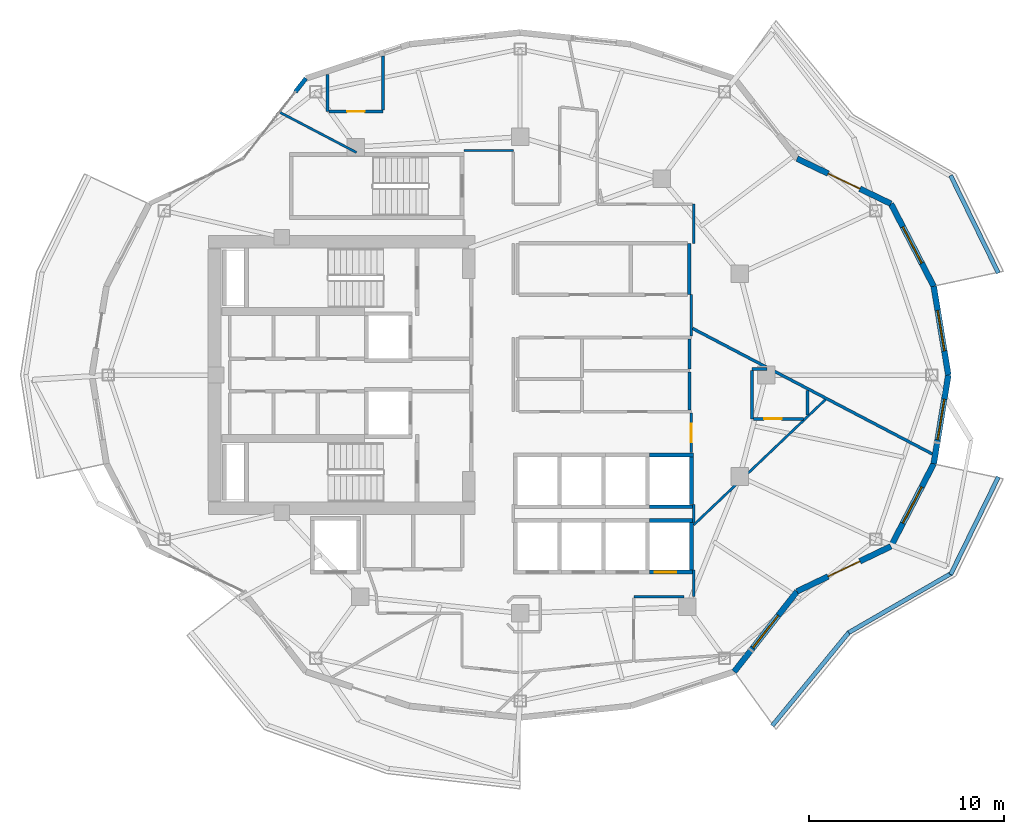
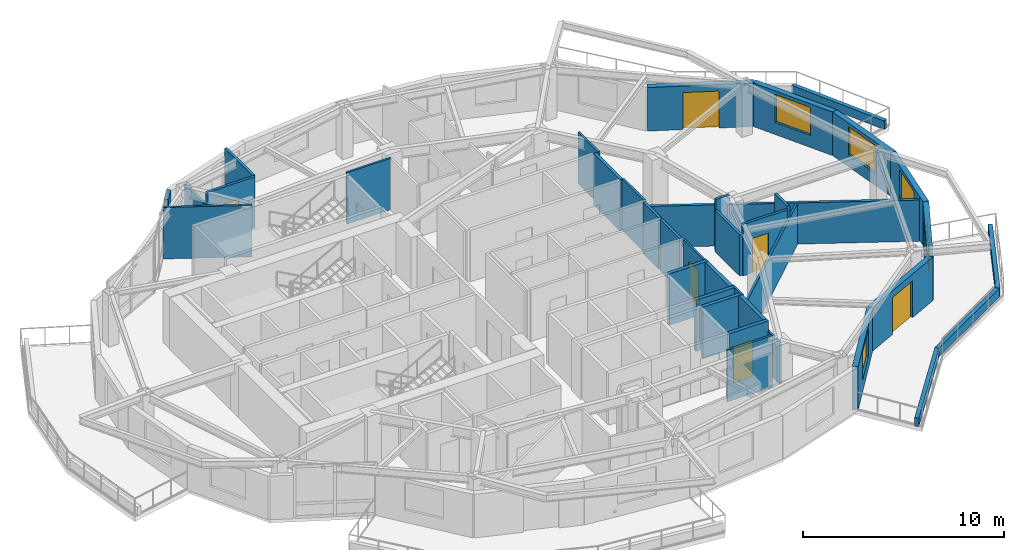
# One storey, part 10 of 13: 38 walls, 6 doors, 5 windows, 11 openings.
"""IFC4 building model written with IfcOpenShell, lengths in metres."""

from ifc_helpers import new_model, si_unit, direction, frame, frame_2d, origin, place, context, subcontext, project, spatial, rectangle, extrude, material, layer, layer_set, type_object, element, fill, save


model = new_model("IFC4")

# Units and contexts
model_context = context("Model", 3, precision=1e-05, world=origin(), true_north=direction((0.0, 1.0)))
body_context = subcontext(model_context, "Body", "Model", "MODEL_VIEW")
ifc_project = project(units=[si_unit("LENGTHUNIT", "METRE"), si_unit("AREAUNIT", "SQUARE_METRE"), si_unit("VOLUMEUNIT", "CUBIC_METRE"), si_unit("PLANEANGLEUNIT", "RADIAN"), si_unit("MASSUNIT", "GRAM", prefix="KILO")], contexts=[model_context])

# Site, building, storey
site_placement = place(None, origin())
site = spatial("IfcSite", under=ifc_project, at=site_placement, CompositionType="ELEMENT")
building_placement = place(site_placement, origin())
building = spatial("IfcBuilding", under=site, at=building_placement, Name="Kolvaren Gate Tower and Convention Centre", CompositionType="ELEMENT")
storey_placement = place(building_placement, frame((0.0, 0.0, 156.300048828125)))
storey = spatial("IfcBuildingStorey", under=building, at=storey_placement, Name="L40", CompositionType="ELEMENT", Elevation=156.300048828125)

# Walls
ifc_material_1 = material(Name="Autoclaved Aerated Masonry Blockwork Class 4 (4.0 MPa)", Category="masonry")
ifc_layer_1 = layer(ifc_material_1, 0.179931640625)
ifc_layer_set_1 = layer_set([ifc_layer_1], Name="Autoclaved Aerated Masonry Blockwork Class 4 (4.0 MPa)")
wall_type_1 = type_object("IfcWallType", Name="ARCH-WL-COMP-180", PredefinedType="SOLIDWALL", material=ifc_layer_set_1)
wall_1_placement = place(storey_placement, frame((38.800048828125, 31.1201171875, 0.0), z_axis=(0.0, 0.0, 1.0), x_axis=(0.0, 1.0, 0.0)))
element("IfcWall", 1, at=wall_1_placement, inside=storey, type_object=wall_type_1, Name="Interior Partition WL-L40-INT-024", PredefinedType="SOLIDWALL", context=body_context, shape_type="SweptSolid", body=[
    extrude(rectangle(XDim=2.6298828125, YDim=0.179931640625, at=frame_2d((1.31494140625, 0.0))), origin(), (0.0, 0.0, 1.0), 3.1298828125),
])
ifc_material_2 = material(Name="Fire-Rated Acoustic Gypsum Stud Partition", Category="gypsum")
ifc_layer_2 = layer(ifc_material_2, 0.1201171875)
ifc_layer_set_2 = layer_set([ifc_layer_2], Name="Fire-Rated Acoustic Gypsum Stud Partition")
wall_type_2 = type_object("IfcWallType", Name="ARCH-WL-PART-120", PredefinedType="PARTITIONING", material=ifc_layer_set_2)
wall_2_placement = place(storey_placement, frame((39.02001953125, 15.64990234375, 0.0), z_axis=(0.0, 0.0, 1.0), x_axis=(0.0, 1.0, 0.0)))
element("IfcWall", 2, at=wall_2_placement, inside=storey, type_object=wall_type_2, Name="Interior Partition WL-L40-INT-028", PredefinedType="PARTITIONING", context=body_context, shape_type="SweptSolid", body=[
    extrude(rectangle(XDim=1.360107421875, YDim=0.1201171875, at=frame_2d((0.68017578125, 0.0))), origin(), (0.0, 0.0, 1.0), 2.5048828125),
])
wall_3_placement = place(storey_placement, frame((39.02001953125, 19.43994140625, 0.0), z_axis=(0.0, 0.0, 1.0), x_axis=(0.0, 1.0, 0.0)))
element("IfcWall", 3, at=wall_3_placement, inside=storey, type_object=wall_type_2, Name="Interior Partition WL-L40-INT-028 (2)", PredefinedType="PARTITIONING", context=body_context, shape_type="SweptSolid", body=[
    extrude(rectangle(XDim=0.920166015625, YDim=0.1201171875, at=frame_2d((0.4599609375, 0.0))), origin(), (0.0, 0.0, 1.0), 3.1298828125),
])
wall_4_placement = place(storey_placement, frame((39.02001953125, 33.75, 0.0), z_axis=(0.0, 0.0, 1.0), x_axis=(0.0, 1.0, 0.0)))
element("IfcWall", 4, at=wall_4_placement, inside=storey, type_object=wall_type_2, Name="Interior Partition WL-L40-INT-029", PredefinedType="PARTITIONING", context=body_context, shape_type="SweptSolid", body=[
    extrude(rectangle(XDim=2.0, YDim=0.1201171875, at=frame_2d((1.0, 0.0))), origin(), (0.0, 0.0, 1.0), 3.1298828125),
])
wall_5_placement = place(storey_placement, frame((35.949951171875, 15.64990234375, 0.0), z_axis=(0.0, 0.0, 1.0), x_axis=(1.0, 0.0, 0.0)))
element("IfcWall", 5, at=wall_5_placement, inside=storey, type_object=wall_type_2, Name="Interior Partition WL-L40-INT-031", PredefinedType="PARTITIONING", context=body_context, shape_type="SweptSolid", body=[
    extrude(rectangle(XDim=2.568115234375, YDim=0.1201171875, at=frame_2d((1.2841796875, 0.0))), origin(), (0.0, 0.0, 1.0), 3.1298828125),
])
wall_6_placement = place(storey_placement, frame((27.25, 38.5, 0.0), z_axis=(0.0, 0.0, 1.0), x_axis=(1.0, 0.0, 0.0)))
element("IfcWall", 6, at=wall_6_placement, inside=storey, type_object=wall_type_2, Name="Interior Partition WL-L40-INT-039", PredefinedType="PARTITIONING", context=body_context, shape_type="SweptSolid", body=[
    extrude(rectangle(XDim=2.530029296875, YDim=0.1201171875, at=frame_2d((1.26513671875, 0.0))), origin(), (0.0, 0.0, 1.0), 3.1298828125),
])

# Wall, opening, door
wall_7_placement = place(storey_placement, frame((38.89990234375, 23.02001953125, 0.0), z_axis=(0.0, 0.0, 1.0), x_axis=(0.0, 1.0, 0.0)))
wall_7 = element("IfcWall", 7, at=wall_7_placement, inside=storey, type_object=wall_type_2, Name="Interior Partition WL-L40-INT-049", PredefinedType="PARTITIONING", context=body_context, shape_type="SweptSolid", body=[
    extrude(rectangle(XDim=2.02294921875, YDim=0.1201171875, at=frame_2d((1.011474609375, 0.0))), origin(), (0.0, 0.0, 1.0), 3.1298828125),
])
opening_1_placement = place(wall_7_placement, frame((0.53662109375, 0.0, 0.0)))
opening_1 = element("IfcOpeningElement", 8, at=opening_1_placement, cuts=wall_7, Name="Opening DR-01", PredefinedType="OPENING", context=body_context, shape_type="SweptSolid", body=[
    extrude(rectangle(XDim=0.949951171875, YDim=2.10009765625, at=frame_2d((0.47509765625, 1.050048828125))), frame((0.0, 0.070068359375, 0.0), z_axis=(0.0, -1.0, 0.0), x_axis=(1.0, 0.0, 0.0)), (0.0, 0.0, 1.0), 0.14013671875),
])
ifc_material_3 = material(Name="Painted Architectural Steelwork ASTM A500 Grade C 345 MPa", Category="steel")
door_type_1 = type_object("IfcDoorType", Name="ARCH-DR-RISER-950", OperationType="SINGLE_SWING_RIGHT", PredefinedType="DOOR", material=ifc_material_3)
door_1_placement = place(opening_1_placement, origin())
door_1 = element("IfcDoor", 9, at=door_1_placement, inside=storey, type_object=door_type_1, Name="Hotel Guest Room (HTL-L40-05) Door", OperationType="SINGLE_SWING_RIGHT", OverallHeight=2.10009765625, OverallWidth=0.949951171875, PredefinedType="DOOR", context=body_context, shape_type="SweptSolid", body=[
    extrude(rectangle(XDim=0.949951171875, YDim=2.10009765625, at=frame_2d((0.47509765625, 1.050048828125))), frame((0.0, 0.02490234375, 0.0), z_axis=(0.0, -1.0, 0.0), x_axis=(1.0, 0.0, 0.0)), (0.0, 0.0, 1.0), 0.050048828125),
])
fill(opening_1, door_1)

# Walls
wall_8_placement = place(storey_placement, frame((38.89990234375, 28.9970703125, 0.0), z_axis=(0.0, 0.0, 1.0), x_axis=(0.0, 1.0, 0.0)))
element("IfcWall", 10, at=wall_8_placement, inside=storey, type_object=wall_type_2, Name="Interior Partition WL-L40-INT-050", PredefinedType="PARTITIONING", context=body_context, shape_type="SweptSolid", body=[
    extrude(rectangle(XDim=2.123046875, YDim=0.1201171875, at=frame_2d((1.0615234375, 0.0))), origin(), (0.0, 0.0, 1.0), 3.1298828125),
])
wall_9_placement = place(storey_placement, frame((17.821044921875, 40.455810546875, 0.0), z_axis=(0.0, 0.0, 1.0), x_axis=(0.885899524476, -0.463877173974, 0.0)))
element("IfcWall", 11, at=wall_9_placement, inside=storey, type_object=wall_type_2, Name="Interior Partition WL-L40-INT-055", PredefinedType="PARTITIONING", context=body_context, shape_type="SweptSolid", body=[
    extrude(rectangle(XDim=4.42724609375, YDim=0.1201171875, at=frame_2d((2.213623046875, 0.0))), origin(), (0.0, 0.0, 1.0), 3.1298828125),
])
wall_10_placement = place(storey_placement, frame((39.02099609375, 19.32373046875, 0.0), z_axis=(0.0, 0.0, 1.0), x_axis=(0.724517158733, 0.689256763986, 0.0)))
element("IfcWall", 12, at=wall_10_placement, inside=storey, type_object=wall_type_2, Name="Interior Partition WL-L40-INT-059", PredefinedType="PARTITIONING", context=body_context, shape_type="SweptSolid", body=[
    extrude(rectangle(XDim=9.3056640625, YDim=0.1201171875, at=frame_2d((4.65283203125, 0.0))), origin(), (0.0, 0.0, 1.0), 2.5048828125),
])
ifc_material_4 = material(Name="Bogota Sabana Bush-Hammered Sandstone Cladding", Category="masonry")
ifc_layer_3 = layer(ifc_material_4, 0.219970703125)
ifc_layer_set_3 = layer_set([ifc_layer_3], Name="Bogota Sabana Bush-Hammered Sandstone Cladding")
wall_type_3 = type_object("IfcWallType", Name="ARCH-WL-PIER-220", PredefinedType="SOLIDWALL", material=ifc_layer_set_3)
wall_11_placement = place(storey_placement, frame((18.6162109375, 41.5087890625, 0.0), z_axis=(0.0, 0.0, 1.0), x_axis=(0.616368366719, 0.787457958566, 0.0)))
element("IfcWall", 13, at=wall_11_placement, inside=storey, type_object=wall_type_3, Name="Tower L40 Unitised Curtain Wall CW-HTL-UNIT Bay 08 Right Column Pier Wrap", PredefinedType="SOLIDWALL", context=body_context, shape_type="SweptSolid", body=[
    extrude(rectangle(XDim=0.876220703125, YDim=0.219970703125, at=frame_2d((0.43798828125, 0.0))), origin(), (0.0, 0.0, 1.0), 2.65283203125),
])
ifc_material_5 = material(Name="Piedmont Cream Honed Limestone Cladding", Category="masonry")
ifc_layer_4 = layer(ifc_material_5, 0.219970703125)
ifc_layer_set_4 = layer_set([ifc_layer_4], Name="Piedmont Cream Honed Limestone Cladding")
wall_type_4 = type_object("IfcWallType", Name="ARCH-WL-PLANTER-220", PredefinedType="PARAPET", material=ifc_layer_set_4)
wall_12_placement = place(storey_placement, frame((52.180419921875, 37.221435546875, 0.0), z_axis=(0.0, 0.0, 1.0), x_axis=(0.439637174641, -0.898175458735, 0.0)))
element("IfcWall", 14, at=wall_12_placement, inside=storey, type_object=wall_type_4, Name="Vertical-Forest Balcony Stone Planter Kerb PK-L40-1.1", PredefinedType="PARAPET", context=body_context, shape_type="SweptSolid", body=[
    extrude(rectangle(XDim=5.567138671875, YDim=0.219970703125, at=frame_2d((2.78369140625, 0.0))), origin(), (0.0, 0.0, 1.0), 0.52001953125),
])
wall_13_placement = place(storey_placement, frame((43.0419921875, 9.03564453125, 0.0), z_axis=(0.0, 0.0, 1.0), x_axis=(0.634429234628, 0.77298094818, 0.0)))
element("IfcWall", 15, at=wall_13_placement, inside=storey, type_object=wall_type_4, Name="Vertical-Forest Balcony Stone Planter Kerb PK-L40-4.1", PredefinedType="PARAPET", context=body_context, shape_type="SweptSolid", body=[
    extrude(rectangle(XDim=6.244873046875, YDim=0.219970703125, at=frame_2d((3.12255859375, 0.0))), origin(), (0.0, 0.0, 1.0), 0.52001953125),
])
wall_14_placement = place(storey_placement, frame((46.95751953125, 13.8046875, 0.0), z_axis=(0.0, 0.0, 1.0), x_axis=(0.866058128659, 0.499943314571, 0.0)))
element("IfcWall", 16, at=wall_14_placement, inside=storey, type_object=wall_type_4, Name="Vertical-Forest Balcony Stone Planter Kerb PK-L40-4.2", PredefinedType="PARAPET", context=body_context, shape_type="SweptSolid", body=[
    extrude(rectangle(XDim=6.060302734375, YDim=0.219970703125, at=frame_2d((3.0302734375, 0.0))), origin(), (0.0, 0.0, 1.0), 0.52001953125),
])
wall_15_placement = place(storey_placement, frame((52.180419921875, 16.778564453125, 0.0), z_axis=(0.0, 0.0, 1.0), x_axis=(0.439637174641, 0.898175458735, 0.0)))
element("IfcWall", 17, at=wall_15_placement, inside=storey, type_object=wall_type_4, Name="Vertical-Forest Balcony Stone Planter Kerb PK-L40-4.3", PredefinedType="PARAPET", context=body_context, shape_type="SweptSolid", body=[
    extrude(rectangle(XDim=5.567138671875, YDim=0.219970703125, at=frame_2d((2.78369140625, 0.0))), origin(), (0.0, 0.0, 1.0), 0.52001953125),
])
ifc_layer_5 = layer(ifc_material_1, 0.199951171875)
ifc_layer_set_5 = layer_set([ifc_layer_5], Name="Autoclaved Aerated Masonry Blockwork Class 4 (4.0 MPa)")
wall_type_5 = type_object("IfcWallType", Name="ARCH-WL-SHAFT-200", PredefinedType="SOLIDWALL", material=ifc_layer_set_5)
wall_16_placement = place(storey_placement, frame((36.75, 19.550048828125, 0.0), z_axis=(0.0, 0.0, 1.0), x_axis=(1.0, 0.0, 0.0)))
element("IfcWall", 18, at=wall_16_placement, inside=storey, type_object=wall_type_5, Name="Elevator PL-08 L40 Fire Shaft Wall N", PredefinedType="SOLIDWALL", context=body_context, shape_type="SweptSolid", body=[
    extrude(rectangle(XDim=2.25, YDim=0.199951171875, at=frame_2d((1.125, 0.0))), origin(), (0.0, 0.0, 1.0), 3.1298828125),
])

# Wall, opening, door
wall_17_placement = place(storey_placement, frame((36.75, 16.89990234375, 0.0), z_axis=(0.0, 0.0, 1.0), x_axis=(1.0, 0.0, 0.0)))
wall_17 = element("IfcWall", 19, at=wall_17_placement, inside=storey, type_object=wall_type_5, Name="Elevator PL-08 L40 Fire Shaft Wall S", PredefinedType="SOLIDWALL", context=body_context, shape_type="SweptSolid", body=[
    extrude(rectangle(XDim=2.25, YDim=0.199951171875, at=frame_2d((1.125, 0.0))), origin(), (0.0, 0.0, 1.0), 3.1298828125),
])
opening_2_placement = place(wall_17_placement, frame((0.280029296875, 0.0, 0.0)))
opening_2 = element("IfcOpeningElement", 20, at=opening_2_placement, cuts=wall_17, Name="Opening LD", PredefinedType="OPENING", context=body_context, shape_type="SweptSolid", body=[
    extrude(rectangle(XDim=1.10009765625, YDim=2.199951171875, at=frame_2d((0.550048828125, 1.10009765625))), frame((0.0, 0.10986328125, 0.0), z_axis=(0.0, -1.0, 0.0), x_axis=(1.0, 0.0, 0.0)), (0.0, 0.0, 1.0), 0.219970703125),
])
ifc_material_6 = material(Name="Brushed Stainless Steel Grade 316L", Category="steel")
door_type_2 = type_object("IfcDoorType", Name="ARCH-DR-LIFT-1100", OperationType="SLIDING_TO_LEFT", PredefinedType="DOOR", material=ifc_material_6)
door_2_placement = place(opening_2_placement, origin())
door_2 = element("IfcDoor", 21, at=door_2_placement, inside=storey, type_object=door_type_2, Name="Elevator PL-08 L40 Sliding Landing Door", OperationType="SLIDING_TO_LEFT", OverallHeight=2.199951171875, OverallWidth=1.10009765625, PredefinedType="DOOR", context=body_context, shape_type="SweptSolid", body=[
    extrude(rectangle(XDim=1.10009765625, YDim=2.199951171875, at=frame_2d((0.550048828125, 1.10009765625))), frame((0.0, 0.02490234375, 0.0), z_axis=(0.0, -1.0, 0.0), x_axis=(1.0, 0.0, 0.0)), (0.0, 0.0, 1.0), 0.050048828125),
])
fill(opening_2, door_2)

# Walls
wall_18_placement = place(storey_placement, frame((38.89990234375, 17.010009765625, 0.0), z_axis=(0.0, 0.0, 1.0), x_axis=(0.0, 1.0, 0.0)))
element("IfcWall", 22, at=wall_18_placement, inside=storey, type_object=wall_type_5, Name="Elevator PL-08 L40 Fire Shaft Wall E", PredefinedType="SOLIDWALL", context=body_context, shape_type="SweptSolid", body=[
    extrude(rectangle(XDim=2.429931640625, YDim=0.199951171875, at=frame_2d((1.21484375, 0.0))), origin(), (0.0, 0.0, 1.0), 3.1298828125),
])
for number, where, z_axis, x_axis, name in (
    (23, (36.75, 22.89990234375, 0.0), (0.0, 0.0, 1.0), (1.0, 0.0, 0.0), "Elevator PL-12 L40 Fire Shaft Wall N"),
    (24, (36.75, 20.25, 0.0), (0.0, 0.0, 1.0), (1.0, 0.0, 0.0), "Elevator PL-12 L40 Fire Shaft Wall S"),
):
    element("IfcWall", number, at=place(storey_placement, frame(where, z_axis=z_axis, x_axis=x_axis)), inside=storey, type_object=wall_type_5, Name=name, PredefinedType="SOLIDWALL", context=body_context, shape_type="SweptSolid", body=[
        extrude(rectangle(XDim=2.25, YDim=0.199951171875, at=frame_2d((1.125, 0.0))), origin(), (0.0, 0.0, 1.0), 3.1298828125),
    ])
wall_19_placement = place(storey_placement, frame((38.89990234375, 20.360107421875, 0.0), z_axis=(0.0, 0.0, 1.0), x_axis=(0.0, 1.0, 0.0)))
element("IfcWall", 25, at=wall_19_placement, inside=storey, type_object=wall_type_5, Name="Elevator PL-12 L40 Fire Shaft Wall E", PredefinedType="SOLIDWALL", context=body_context, shape_type="SweptSolid", body=[
    extrude(rectangle(XDim=2.429931640625, YDim=0.199951171875, at=frame_2d((1.21484375, 0.0))), origin(), (0.0, 0.0, 1.0), 3.1298828125),
])

# Wall, opening, window
ifc_layer_6 = layer(ifc_material_5, 0.300048828125)
ifc_layer_set_6 = layer_set([ifc_layer_6], Name="Piedmont Cream Honed Limestone Cladding")
wall_type_6 = type_object("IfcWallType", Name="ARCH-WL-STONE-300", PredefinedType="SOLIDWALL", material=ifc_layer_set_6)
wall_20_placement = place(storey_placement, frame((51.31494140625, 31.542236328125, 0.0), z_axis=(0.0, 0.0, 1.0), x_axis=(0.162394765401, -0.986725868806, 0.0)))
wall_20 = element("IfcWall", 26, at=wall_20_placement, inside=storey, type_object=wall_type_6, Name="Tower L40 Honed Stone Spandrel Wall EW-00", PredefinedType="SOLIDWALL", context=body_context, shape_type="SweptSolid", body=[
    extrude(rectangle(XDim=4.603271484375, YDim=0.300048828125, at=frame_2d((2.3017578125, 0.0))), origin(), (0.0, 0.0, 1.0), 2.65283203125),
])
opening_3_placement = place(wall_20_placement, frame((1.251953125, 0.0, 0.739990234375)))
opening_3 = element("IfcOpeningElement", 27, at=opening_3_placement, cuts=wall_20, Name="Opening W-02", PredefinedType="OPENING", context=body_context, shape_type="SweptSolid", body=[
    extrude(rectangle(XDim=2.10009765625, YDim=1.699951171875, at=frame_2d((1.050048828125, 0.85009765625))), frame((0.0, 0.159912109375, 0.0), z_axis=(0.0, -1.0, 0.0), x_axis=(1.0, 0.0, 0.0)), (0.0, 0.0, 1.0), 0.320068359375),
])
ifc_material_7 = material(Name="Low-E Triple Insulated Glazing Unit 44 mm", Category="glass")
window_type = type_object("IfcWindowType", Name="ARCH-WN-HTL-2100", PartitioningType="SINGLE_PANEL", PredefinedType="WINDOW", material=ifc_material_7)
window_1_placement = place(opening_3_placement, origin())
window_1 = element("IfcWindow", 28, at=window_1_placement, inside=storey, type_object=window_type, Name="Tower L40 Punched Stone Facade Window W-00", OverallHeight=1.699951171875, OverallWidth=2.10009765625, PartitioningType="SINGLE_PANEL", PredefinedType="WINDOW", context=body_context, shape_type="SweptSolid", body=[
    extrude(rectangle(XDim=2.10009765625, YDim=1.699951171875, at=frame_2d((1.050048828125, 0.85009765625))), frame((0.0, 0.030029296875, 0.0), z_axis=(0.0, -1.0, 0.0), x_axis=(1.0, 0.0, 0.0)), (0.0, 0.0, 1.0), 0.06005859375),
])
fill(opening_3, window_1)

wall_21_placement = place(storey_placement, frame((49.123291015625, 35.77490234375, 0.0), z_axis=(0.0, 0.0, 1.0), x_axis=(0.459810251451, -0.888017191647, 0.0)))
wall_21 = element("IfcWall", 29, at=wall_21_placement, inside=storey, type_object=wall_type_6, Name="Tower L40 Honed Stone Spandrel Wall EW-01", PredefinedType="SOLIDWALL", context=body_context, shape_type="SweptSolid", body=[
    extrude(rectangle(XDim=4.766357421875, YDim=0.300048828125, at=frame_2d((2.38330078125, 0.0))), origin(), (0.0, 0.0, 1.0), 2.65283203125),
])
opening_4_placement = place(wall_21_placement, frame((1.3330078125, 0.0, 0.739990234375)))
opening_4 = element("IfcOpeningElement", 30, at=opening_4_placement, cuts=wall_21, Name="Opening W-02", PredefinedType="OPENING", context=body_context, shape_type="SweptSolid", body=[
    extrude(rectangle(XDim=2.10009765625, YDim=1.699951171875, at=frame_2d((1.050048828125, 0.85009765625))), frame((0.0, 0.159912109375, 0.0), z_axis=(0.0, -1.0, 0.0), x_axis=(1.0, 0.0, 0.0)), (0.0, 0.0, 1.0), 0.320068359375),
])
window_2_placement = place(opening_4_placement, origin())
window_2 = element("IfcWindow", 31, at=window_2_placement, inside=storey, type_object=window_type, Name="Tower L40 Punched Stone Facade Window W-01", OverallHeight=1.699951171875, OverallWidth=2.10009765625, PartitioningType="SINGLE_PANEL", PredefinedType="WINDOW", context=body_context, shape_type="SweptSolid", body=[
    extrude(rectangle(XDim=2.10009765625, YDim=1.699951171875, at=frame_2d((1.050048828125, 0.85009765625))), frame((0.0, 0.030029296875, 0.0), z_axis=(0.0, -1.0, 0.0), x_axis=(1.0, 0.0, 0.0)), (0.0, 0.0, 1.0), 0.06005859375),
])
fill(opening_4, window_2)

# Wall, opening, door
wall_22_placement = place(storey_placement, frame((44.3134765625, 38.0859375, 0.0), z_axis=(0.0, 0.0, 1.0), x_axis=(0.901353070301, -0.433085029363, 0.0)))
wall_22 = element("IfcWall", 32, at=wall_22_placement, inside=storey, type_object=wall_type_6, Name="Tower L40 Honed Stone Spandrel Wall EW-02", PredefinedType="SOLIDWALL", context=body_context, shape_type="SweptSolid", body=[
    extrude(rectangle(XDim=5.336181640625, YDim=0.300048828125, at=frame_2d((2.66796875, 0.0))), origin(), (0.0, 0.0, 1.0), 2.65283203125),
])
opening_5_placement = place(wall_22_placement, frame((1.76806640625, 0.0, 0.0)))
opening_5 = element("IfcOpeningElement", 33, at=opening_5_placement, cuts=wall_22, Name="Opening DB-01", PredefinedType="OPENING", context=body_context, shape_type="SweptSolid", body=[
    extrude(rectangle(XDim=1.800048828125, YDim=2.25, at=frame_2d((0.89990234375, 1.125))), frame((0.0, 0.159912109375, 0.0), z_axis=(0.0, -1.0, 0.0), x_axis=(1.0, 0.0, 0.0)), (0.0, 0.0, 1.0), 0.320068359375),
])
ifc_material_8 = material(Name="Anodized Architectural Aluminium Alloy 6063-T6", Category="aluminium")
door_type_3 = type_object("IfcDoorType", Name="ARCH-DR-BALC-1800", OperationType="SLIDING_TO_LEFT", PredefinedType="DOOR", material=ifc_material_8)
door_3_placement = place(opening_5_placement, origin())
door_3 = element("IfcDoor", 34, at=door_3_placement, inside=storey, type_object=door_type_3, Name="Planted Sky Terrace Access Door DB-L40-02", OperationType="SLIDING_TO_LEFT", OverallHeight=2.25, OverallWidth=1.800048828125, PredefinedType="DOOR", context=body_context, shape_type="SweptSolid", body=[
    extrude(rectangle(XDim=1.800048828125, YDim=2.25, at=frame_2d((0.89990234375, 1.125))), frame((0.0, 0.02490234375, 0.0), z_axis=(0.0, -1.0, 0.0), x_axis=(1.0, 0.0, 0.0)), (0.0, 0.0, 1.0), 0.050048828125),
])
fill(opening_5, door_3)

# Wall, opening, window
wall_23_placement = place(storey_placement, frame((41.09375, 11.80126953125, 0.0), z_axis=(0.0, 0.0, 1.0), x_axis=(0.616429245738, 0.787410302828, 0.0)))
wall_23 = element("IfcWall", 35, at=wall_23_placement, inside=storey, type_object=wall_type_6, Name="Tower L40 Honed Stone Spandrel Wall EW-20", PredefinedType="SOLIDWALL", context=body_context, shape_type="SweptSolid", body=[
    extrude(rectangle(XDim=5.22314453125, YDim=0.300048828125, at=frame_2d((2.611572265625, 0.0))), origin(), (0.0, 0.0, 1.0), 2.65283203125),
])
opening_6_placement = place(wall_23_placement, frame((1.56201171875, 0.0, 0.739990234375)))
opening_6 = element("IfcOpeningElement", 36, at=opening_6_placement, cuts=wall_23, Name="Opening W-02", PredefinedType="OPENING", context=body_context, shape_type="SweptSolid", body=[
    extrude(rectangle(XDim=2.10009765625, YDim=1.699951171875, at=frame_2d((1.050048828125, 0.85009765625))), frame((0.0, 0.159912109375, 0.0), z_axis=(0.0, -1.0, 0.0), x_axis=(1.0, 0.0, 0.0)), (0.0, 0.0, 1.0), 0.320068359375),
])
window_3_placement = place(opening_6_placement, origin())
window_3 = element("IfcWindow", 37, at=window_3_placement, inside=storey, type_object=window_type, Name="Tower L40 Punched Stone Facade Window W-20", OverallHeight=1.699951171875, OverallWidth=2.10009765625, PartitioningType="SINGLE_PANEL", PredefinedType="WINDOW", context=body_context, shape_type="SweptSolid", body=[
    extrude(rectangle(XDim=2.10009765625, YDim=1.699951171875, at=frame_2d((1.050048828125, 0.85009765625))), frame((0.0, 0.030029296875, 0.0), z_axis=(0.0, -1.0, 0.0), x_axis=(1.0, 0.0, 0.0)), (0.0, 0.0, 1.0), 0.06005859375),
])
fill(opening_6, window_3)

# Wall, opening, door
wall_24_placement = place(storey_placement, frame((44.3134765625, 15.9140625, 0.0), z_axis=(0.0, 0.0, 1.0), x_axis=(0.901353070301, 0.433085029363, 0.0)))
wall_24 = element("IfcWall", 38, at=wall_24_placement, inside=storey, type_object=wall_type_6, Name="Tower L40 Honed Stone Spandrel Wall EW-21", PredefinedType="SOLIDWALL", context=body_context, shape_type="SweptSolid", body=[
    extrude(rectangle(XDim=5.336181640625, YDim=0.300048828125, at=frame_2d((2.66796875, 0.0))), origin(), (0.0, 0.0, 1.0), 2.65283203125),
])
opening_7_placement = place(wall_24_placement, frame((1.76806640625, 0.0, 0.0)))
opening_7 = element("IfcOpeningElement", 39, at=opening_7_placement, cuts=wall_24, Name="Opening DB-01", PredefinedType="OPENING", context=body_context, shape_type="SweptSolid", body=[
    extrude(rectangle(XDim=1.800048828125, YDim=2.25, at=frame_2d((0.89990234375, 1.125))), frame((0.0, 0.159912109375, 0.0), z_axis=(0.0, -1.0, 0.0), x_axis=(1.0, 0.0, 0.0)), (0.0, 0.0, 1.0), 0.320068359375),
])
door_4_placement = place(opening_7_placement, frame((1.800048828125, 0.0, 0.0), z_axis=(0.0, 0.0, 1.0), x_axis=(-1.0, 0.0, 0.0)))
door_4 = element("IfcDoor", 40, at=door_4_placement, inside=storey, type_object=door_type_3, Name="Planted Sky Terrace Access Door DB-L40-21", OperationType="SLIDING_TO_LEFT", OverallHeight=2.25, OverallWidth=1.800048828125, PredefinedType="DOOR", context=body_context, shape_type="SweptSolid", body=[
    extrude(rectangle(XDim=1.800048828125, YDim=2.25, at=frame_2d((0.89990234375, 1.125))), frame((0.0, 0.02490234375, 0.0), z_axis=(0.0, -1.0, 0.0), x_axis=(1.0, 0.0, 0.0)), (0.0, 0.0, 1.0), 0.050048828125),
])
fill(opening_7, door_4)

# Wall, opening, window
wall_25_placement = place(storey_placement, frame((49.123291015625, 18.22509765625, 0.0), z_axis=(0.0, 0.0, 1.0), x_axis=(0.459810251451, 0.888017191647, 0.0)))
wall_25 = element("IfcWall", 41, at=wall_25_placement, inside=storey, type_object=wall_type_6, Name="Tower L40 Honed Stone Spandrel Wall EW-22", PredefinedType="SOLIDWALL", context=body_context, shape_type="SweptSolid", body=[
    extrude(rectangle(XDim=4.766357421875, YDim=0.300048828125, at=frame_2d((2.38330078125, 0.0))), origin(), (0.0, 0.0, 1.0), 2.65283203125),
])
opening_8_placement = place(wall_25_placement, frame((1.3330078125, 0.0, 0.739990234375)))
opening_8 = element("IfcOpeningElement", 42, at=opening_8_placement, cuts=wall_25, Name="Opening W-02", PredefinedType="OPENING", context=body_context, shape_type="SweptSolid", body=[
    extrude(rectangle(XDim=2.10009765625, YDim=1.699951171875, at=frame_2d((1.050048828125, 0.85009765625))), frame((0.0, 0.159912109375, 0.0), z_axis=(0.0, -1.0, 0.0), x_axis=(1.0, 0.0, 0.0)), (0.0, 0.0, 1.0), 0.320068359375),
])
window_4_placement = place(opening_8_placement, origin())
window_4 = element("IfcWindow", 43, at=window_4_placement, inside=storey, type_object=window_type, Name="Tower L40 Punched Stone Facade Window W-22", OverallHeight=1.699951171875, OverallWidth=2.10009765625, PartitioningType="SINGLE_PANEL", PredefinedType="WINDOW", context=body_context, shape_type="SweptSolid", body=[
    extrude(rectangle(XDim=2.10009765625, YDim=1.699951171875, at=frame_2d((1.050048828125, 0.85009765625))), frame((0.0, 0.030029296875, 0.0), z_axis=(0.0, -1.0, 0.0), x_axis=(1.0, 0.0, 0.0)), (0.0, 0.0, 1.0), 0.06005859375),
])
fill(opening_8, window_4)

wall_26_placement = place(storey_placement, frame((51.31494140625, 22.457763671875, 0.0), z_axis=(0.0, 0.0, 1.0), x_axis=(0.162394765401, 0.986725868806, 0.0)))
wall_26 = element("IfcWall", 44, at=wall_26_placement, inside=storey, type_object=wall_type_6, Name="Tower L40 Honed Stone Spandrel Wall EW-23", PredefinedType="SOLIDWALL", context=body_context, shape_type="SweptSolid", body=[
    extrude(rectangle(XDim=4.603271484375, YDim=0.300048828125, at=frame_2d((2.3017578125, 0.0))), origin(), (0.0, 0.0, 1.0), 2.65283203125),
])
opening_9_placement = place(wall_26_placement, frame((1.251953125, 0.0, 0.739990234375)))
opening_9 = element("IfcOpeningElement", 45, at=opening_9_placement, cuts=wall_26, Name="Opening W-02", PredefinedType="OPENING", context=body_context, shape_type="SweptSolid", body=[
    extrude(rectangle(XDim=2.10009765625, YDim=1.699951171875, at=frame_2d((1.050048828125, 0.85009765625))), frame((0.0, 0.159912109375, 0.0), z_axis=(0.0, -1.0, 0.0), x_axis=(1.0, 0.0, 0.0)), (0.0, 0.0, 1.0), 0.320068359375),
])
window_5_placement = place(opening_9_placement, origin())
window_5 = element("IfcWindow", 46, at=window_5_placement, inside=storey, type_object=window_type, Name="Tower L40 Punched Stone Facade Window W-23", OverallHeight=1.699951171875, OverallWidth=2.10009765625, PartitioningType="SINGLE_PANEL", PredefinedType="WINDOW", context=body_context, shape_type="SweptSolid", body=[
    extrude(rectangle(XDim=2.10009765625, YDim=1.699951171875, at=frame_2d((1.050048828125, 0.85009765625))), frame((0.0, 0.030029296875, 0.0), z_axis=(0.0, -1.0, 0.0), x_axis=(1.0, 0.0, 0.0)), (0.0, 0.0, 1.0), 0.06005859375),
])
fill(opening_9, window_5)

# Walls
ifc_material_9 = material(Name="Moisture-Resistant Cement-Board Acoustic Partition", Category="gypsum")
ifc_layer_7 = layer(ifc_material_9, 0.14990234375)
ifc_layer_set_7 = layer_set([ifc_layer_7], Name="Moisture-Resistant Cement-Board Acoustic Partition")
wall_type_7 = type_object("IfcWallType", Name="ARCH-WL-WET-150", PredefinedType="PARTITIONING", material=ifc_layer_set_7)
wall_27_placement = place(storey_placement, frame((38.800048828125, 25.197021484375, 0.0), z_axis=(0.0, 0.0, 1.0), x_axis=(0.0, 1.0, 0.0)))
element("IfcWall", 47, at=wall_27_placement, inside=storey, type_object=wall_type_7, Name="Interior Partition WL-L40-INT-023", PredefinedType="PARTITIONING", context=body_context, shape_type="SweptSolid", body=[
    extrude(rectangle(XDim=1.946044921875, YDim=0.14990234375, at=frame_2d((0.97314453125, 0.0))), origin(), (0.0, 0.0, 1.0), 3.1298828125),
])
wall_28_placement = place(storey_placement, frame((38.800048828125, 27.297119140625, 0.0), z_axis=(0.0, 0.0, 1.0), x_axis=(0.0, 1.0, 0.0)))
element("IfcWall", 48, at=wall_28_placement, inside=storey, type_object=wall_type_7, Name="Interior Partition WL-L40-INT-023 (2)", PredefinedType="PARTITIONING", context=body_context, shape_type="SweptSolid", body=[
    extrude(rectangle(XDim=1.5458984375, YDim=0.14990234375, at=frame_2d((0.77294921875, 0.0))), origin(), (0.0, 0.0, 1.0), 3.1298828125),
])
wall_29_placement = place(storey_placement, frame((38.9619140625, 29.385986328125, 0.0), z_axis=(0.0, 0.0, 1.0), x_axis=(0.885905291329, -0.463866160434, 0.0)))
element("IfcWall", 49, at=wall_29_placement, inside=storey, type_object=wall_type_7, Name="Interior Partition WL-L40-INT-056", PredefinedType="PARTITIONING", context=body_context, shape_type="SweptSolid", body=[
    extrude(rectangle(XDim=13.862548828125, YDim=0.14990234375, at=frame_2d((6.93115234375, 0.0))), origin(), (0.0, 0.0, 1.0), 2.5048828125),
])
wall_30_placement = place(storey_placement, frame((42.0, 27.300048828125, 0.0), z_axis=(0.0, 0.0, 1.0), x_axis=(1.0, 0.0, 0.0)))
element("IfcWall", 50, at=wall_30_placement, inside=storey, type_object=wall_type_7, Name="Interior Partition WL-L40-INT-061", PredefinedType="PARTITIONING", context=body_context, shape_type="SweptSolid", body=[
    extrude(rectangle(XDim=0.77978515625, YDim=0.14990234375, at=frame_2d((0.389892578125, 0.0))), origin(), (0.0, 0.0, 1.0), 3.1298828125),
])
wall_31_placement = place(storey_placement, frame((42.0, 24.75, 0.0), z_axis=(0.0, 0.0, 1.0), x_axis=(0.0, 1.0, 0.0)))
element("IfcWall", 51, at=wall_31_placement, inside=storey, type_object=wall_type_7, Name="Interior Partition WL-L40-INT-062", PredefinedType="PARTITIONING", context=body_context, shape_type="SweptSolid", body=[
    extrude(rectangle(XDim=2.472900390625, YDim=0.14990234375, at=frame_2d((1.236328125, 0.0))), origin(), (0.0, 0.0, 1.0), 2.5048828125),
])

# Wall, opening, door
wall_32_placement = place(storey_placement, frame((42.076904296875, 24.75, 0.0), z_axis=(0.0, 0.0, 1.0), x_axis=(1.0, 0.0, 0.0)))
wall_32 = element("IfcWall", 52, at=wall_32_placement, inside=storey, type_object=wall_type_7, Name="Interior Partition WL-L40-INT-063", PredefinedType="PARTITIONING", context=body_context, shape_type="SweptSolid", body=[
    extrude(rectangle(XDim=2.55810546875, YDim=0.14990234375, at=frame_2d((1.279052734375, 0.0))), origin(), (0.0, 0.0, 1.0), 3.1298828125),
])
opening_10_placement = place(wall_32_placement, frame((0.549072265625, 0.0, 0.0)))
opening_10 = element("IfcOpeningElement", 53, at=opening_10_placement, cuts=wall_32, Name="Opening DW-01", PredefinedType="OPENING", context=body_context, shape_type="SweptSolid", body=[
    extrude(rectangle(XDim=0.89990234375, YDim=2.10009765625, at=frame_2d((0.449951171875, 1.050048828125))), frame((0.0, 0.0849609375, 0.0), z_axis=(0.0, -1.0, 0.0), x_axis=(1.0, 0.0, 0.0)), (0.0, 0.0, 1.0), 0.169921875),
])
ifc_material_10 = material(Name="FSC Andean Oak Engineered Veneer Door Leaf", Category="wood")
door_type_4 = type_object("IfcDoorType", Name="ARCH-DR-WC-900", OperationType="SINGLE_SWING_RIGHT", PredefinedType="DOOR", material=ifc_material_10)
door_5_placement = place(opening_10_placement, origin())
door_5 = element("IfcDoor", 54, at=door_5_placement, inside=storey, type_object=door_type_4, Name="En-suite Bathroom (HTL-L40-05) Door", OperationType="SINGLE_SWING_LEFT", OverallHeight=2.10009765625, OverallWidth=0.89990234375, PredefinedType="DOOR", context=body_context, shape_type="SweptSolid", body=[
    extrude(rectangle(XDim=0.89990234375, YDim=2.10009765625, at=frame_2d((0.449951171875, 1.050048828125))), frame((0.0, 0.02490234375, 0.0), z_axis=(0.0, -1.0, 0.0), x_axis=(1.0, 0.0, 0.0)), (0.0, 0.0, 1.0), 0.050048828125),
])
fill(opening_10, door_5)

# Walls
wall_33_placement = place(storey_placement, frame((44.85009765625, 24.95458984375, 0.0), z_axis=(0.0, 0.0, 1.0), x_axis=(0.0, 1.0, 0.0)))
element("IfcWall", 55, at=wall_33_placement, inside=storey, type_object=wall_type_7, Name="Interior Partition WL-L40-INT-064", PredefinedType="PARTITIONING", context=body_context, shape_type="SweptSolid", body=[
    extrude(rectangle(XDim=1.261474609375, YDim=0.14990234375, at=frame_2d((0.630859375, 0.0))), origin(), (0.0, 0.0, 1.0), 3.1298828125),
])
wall_34_placement = place(storey_placement, frame((20.25, 40.5, 0.0), z_axis=(0.0, 0.0, 1.0), x_axis=(0.0, 1.0, 0.0)))
element("IfcWall", 56, at=wall_34_placement, inside=storey, type_object=wall_type_7, Name="Interior Partition WL-L40-INT-067", PredefinedType="PARTITIONING", context=body_context, shape_type="SweptSolid", body=[
    extrude(rectangle(XDim=1.90087890625, YDim=0.14990234375, at=frame_2d((0.950439453125, 0.0))), origin(), (0.0, 0.0, 1.0), 2.5048828125),
])

# Wall, opening, door
wall_35_placement = place(storey_placement, frame((20.326904296875, 40.5, 0.0), z_axis=(0.0, 0.0, 1.0), x_axis=(1.0, 0.0, 0.0)))
wall_35 = element("IfcWall", 57, at=wall_35_placement, inside=storey, type_object=wall_type_7, Name="Interior Partition WL-L40-INT-068", PredefinedType="PARTITIONING", context=body_context, shape_type="SweptSolid", body=[
    extrude(rectangle(XDim=2.773193359375, YDim=0.14990234375, at=frame_2d((1.38671875, 0.0))), origin(), (0.0, 0.0, 1.0), 3.1298828125),
])
opening_11_placement = place(wall_35_placement, frame((0.9365234375, 0.0, 0.0)))
opening_11 = element("IfcOpeningElement", 58, at=opening_11_placement, cuts=wall_35, Name="Opening DW-01", PredefinedType="OPENING", context=body_context, shape_type="SweptSolid", body=[
    extrude(rectangle(XDim=0.89990234375, YDim=2.10009765625, at=frame_2d((0.449951171875, 1.050048828125))), frame((0.0, 0.0849609375, 0.0), z_axis=(0.0, -1.0, 0.0), x_axis=(1.0, 0.0, 0.0)), (0.0, 0.0, 1.0), 0.169921875),
])
door_6_placement = place(opening_11_placement, origin())
door_6 = element("IfcDoor", 59, at=door_6_placement, inside=storey, type_object=door_type_4, Name="En-suite Bathroom (HTL-L40-07) Door", OperationType="SINGLE_SWING_RIGHT", OverallHeight=2.10009765625, OverallWidth=0.89990234375, PredefinedType="DOOR", context=body_context, shape_type="SweptSolid", body=[
    extrude(rectangle(XDim=0.89990234375, YDim=2.10009765625, at=frame_2d((0.449951171875, 1.050048828125))), frame((0.0, 0.02490234375, 0.0), z_axis=(0.0, -1.0, 0.0), x_axis=(1.0, 0.0, 0.0)), (0.0, 0.0, 1.0), 0.050048828125),
])
fill(opening_11, door_6)

# Wall
wall_36_placement = place(storey_placement, frame((23.10009765625, 40.576904296875, 0.0), z_axis=(0.0, 0.0, 1.0), x_axis=(0.0, 1.0, 0.0)))
element("IfcWall", 60, at=wall_36_placement, inside=storey, type_object=wall_type_7, Name="Interior Partition WL-L40-INT-069", PredefinedType="PARTITIONING", context=body_context, shape_type="SweptSolid", body=[
    extrude(rectangle(XDim=2.7685546875, YDim=0.14990234375, at=frame_2d((1.38427734375, 0.0))), origin(), (0.0, 0.0, 1.0), 3.1298828125),
])

save(model, "model.ifc")
